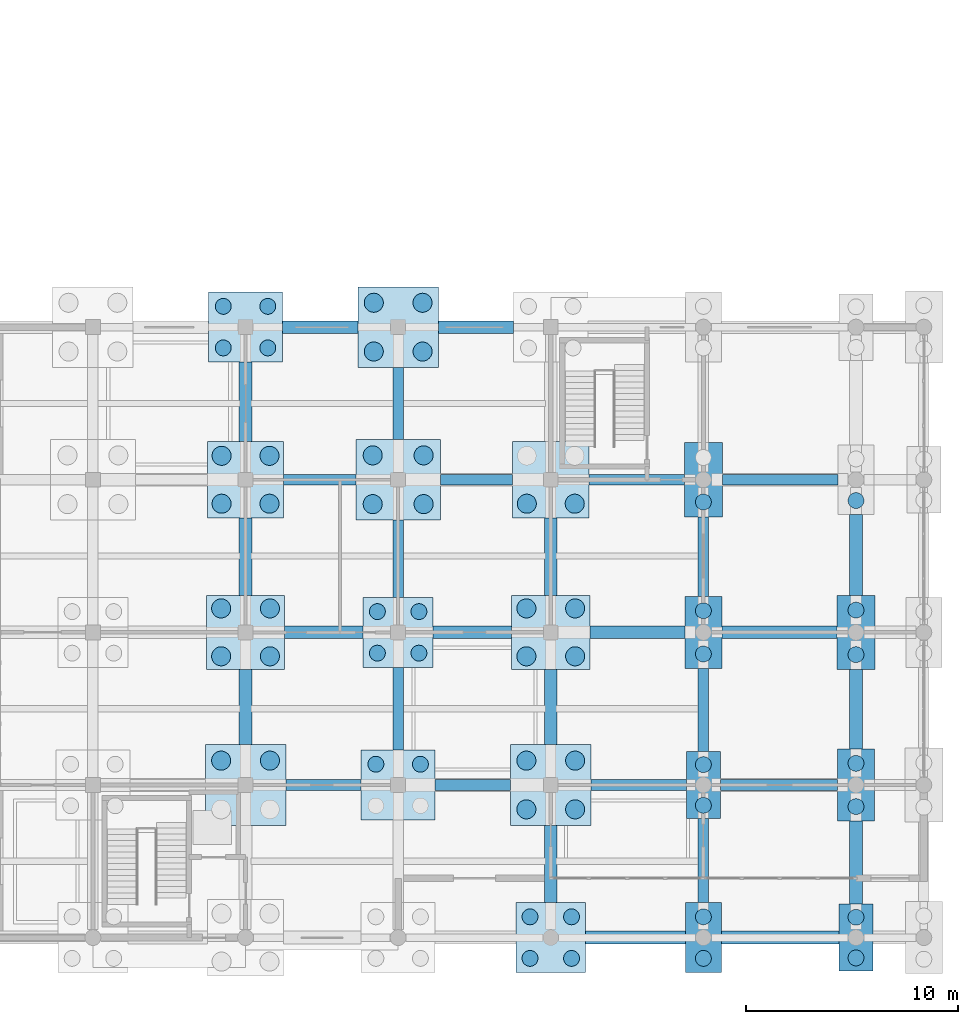
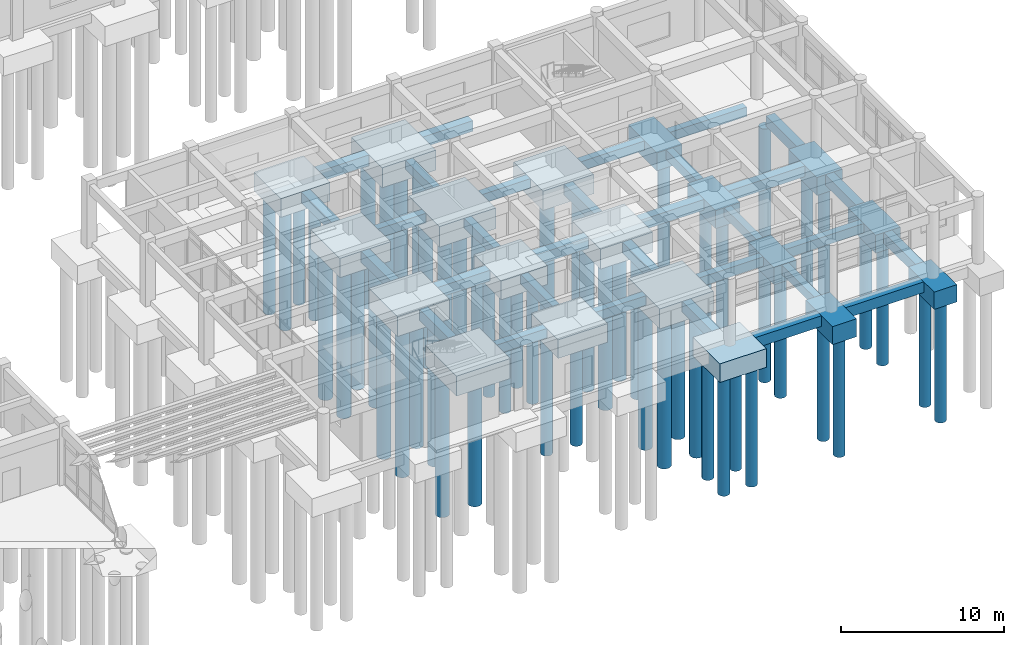
# One storey, part 12 of 79: 56 piles, 50 footings.
"""IFC4 building model written with IfcOpenShell, lengths in metres."""

from ifc_helpers import new_model, si_unit, direction, frame, origin, origin_2d, place, context, subcontext, project, spatial, polyline, rectangle, circle, outline, extrude, material, material_profile, profile_set, type_object, element, save


model = new_model("IFC4")

# Units and contexts
model_context = context("Model", 3, precision=1e-05, world=origin(), true_north=direction((0.0, 1.0)))
body_context = subcontext(model_context, "Body", "Model", "MODEL_VIEW")
ifc_project = project(units=[si_unit("LENGTHUNIT", "METRE"), si_unit("AREAUNIT", "SQUARE_METRE"), si_unit("VOLUMEUNIT", "CUBIC_METRE"), si_unit("PLANEANGLEUNIT", "RADIAN"), si_unit("MASSUNIT", "GRAM", prefix="KILO")], contexts=[model_context])

# Site, building, storey
site_placement = place(None, origin())
site = spatial("IfcSite", under=ifc_project, at=site_placement, CompositionType="ELEMENT")
building_placement = place(site_placement, origin())
building = spatial("IfcBuilding", under=site, at=building_placement, Name="Kavelor Marine Aquarium", CompositionType="ELEMENT")
storey_placement = place(building_placement, origin())
storey = spatial("IfcBuildingStorey", under=building, at=storey_placement, Name="L00", CompositionType="ELEMENT", Elevation=0.0)

# Footings
ifc_material_1 = material(Name="Concrete C40/50", Category="concrete")
footing_type_1 = type_object("IfcFootingType", Name="CAP-PC03", PredefinedType="PILE_CAP", material=ifc_material_1)
footing_1_placement = place(storey_placement, frame((0.0, 0.0, -1.89990234375)))
element("IfcFooting", 1, at=footing_1_placement, inside=storey, type_object=footing_type_1, Name="Pile Cap PC03 (20-D)", PredefinedType="PILE_CAP", context=body_context, shape_type="SweptSolid", body=[
    extrude(outline(polyline([(138.0, 22.5), (142.0, 22.5), (142.0, 26.300048828125), (138.0, 26.300048828125), (138.0, 22.5)])), origin(), (0.0, 0.0, 1.0), 1.5498046875),
])
ifc_material_2 = material(Name="Concrete C40/50", Category="concrete")
footing_type_2 = type_object("IfcFootingType", Name="CAP-PC04", PredefinedType="PILE_CAP", material=ifc_material_2)
footing_2_placement = place(storey_placement, frame((0.0, 0.0, -1.85009765625)))
element("IfcFooting", 2, at=footing_2_placement, inside=storey, type_object=footing_type_2, Name="Pile Cap PC04 (19-B)", PredefinedType="PILE_CAP", context=body_context, shape_type="SweptSolid", body=[
    extrude(outline(polyline([(130.89990234375, 8.10009765625), (134.699951171875, 8.10009765625), (134.699951171875, 11.89990234375), (130.89990234375, 11.89990234375), (130.89990234375, 8.10009765625)])), origin(), (0.0, 0.0, 1.0), 1.5),
])
footing_3_placement = place(storey_placement, frame((0.0, 0.0, -1.85009765625)))
element("IfcFooting", 3, at=footing_3_placement, inside=storey, type_object=footing_type_2, Name="Pile Cap PC04 (20-E)", PredefinedType="PILE_CAP", context=body_context, shape_type="SweptSolid", body=[
    extrude(outline(polyline([(138.10009765625, 29.699951171875), (141.89990234375, 29.699951171875), (141.89990234375, 33.5), (138.10009765625, 33.5), (138.10009765625, 29.699951171875)])), origin(), (0.0, 0.0, 1.0), 1.5),
])
footing_4_placement = place(storey_placement, frame((0.0, 0.0, -1.85009765625)))
element("IfcFooting", 4, at=footing_4_placement, inside=storey, type_object=footing_type_2, Name="Pile Cap PC04 (21-B)", PredefinedType="PILE_CAP", context=body_context, shape_type="SweptSolid", body=[
    extrude(outline(polyline([(145.300048828125, 8.10009765625), (149.10009765625, 8.10009765625), (149.10009765625, 11.89990234375), (145.300048828125, 11.89990234375), (145.300048828125, 8.10009765625)])), origin(), (0.0, 0.0, 1.0), 1.5),
])
ifc_material_3 = material(Name="Concrete C40/50", Category="concrete")
footing_type_3 = type_object("IfcFootingType", Name="CAP-PC05", PredefinedType="PILE_CAP", material=ifc_material_3)
footing_5_placement = place(storey_placement, frame((0.0, 0.0, -1.85009765625)))
element("IfcFooting", 5, at=footing_5_placement, inside=storey, type_object=footing_type_3, Name="Pile Cap PC05 (19-C)", PredefinedType="PILE_CAP", context=body_context, shape_type="SweptSolid", body=[
    extrude(outline(polyline([(130.949951171875, 15.449951171875), (134.64990234375, 15.449951171875), (134.64990234375, 18.949951171875), (130.949951171875, 18.949951171875), (130.949951171875, 15.449951171875)])), origin(), (0.0, 0.0, 1.0), 1.5),
])
footing_6_placement = place(storey_placement, frame((0.0, 0.0, -1.85009765625)))
element("IfcFooting", 6, at=footing_6_placement, inside=storey, type_object=footing_type_3, Name="Pile Cap PC05 (21-C)", PredefinedType="PILE_CAP", context=body_context, shape_type="SweptSolid", body=[
    extrude(outline(polyline([(145.35009765625, 15.449951171875), (149.050048828125, 15.449951171875), (149.050048828125, 18.949951171875), (145.35009765625, 18.949951171875), (145.35009765625, 15.449951171875)])), origin(), (0.0, 0.0, 1.0), 1.5),
])
ifc_material_4 = material(Name="Concrete C40/50", Category="concrete")
footing_type_4 = type_object("IfcFootingType", Name="CAP-PC06", PredefinedType="PILE_CAP", material=ifc_material_4)
footing_7_placement = place(storey_placement, frame((0.0, 0.0, -1.800048828125)))
element("IfcFooting", 7, at=footing_7_placement, inside=storey, type_object=footing_type_4, Name="Pile Cap PC06 (19-D)", PredefinedType="PILE_CAP", context=body_context, shape_type="SweptSolid", body=[
    extrude(outline(polyline([(131.0, 22.60009765625), (134.60009765625, 22.60009765625), (134.60009765625, 26.199951171875), (131.0, 26.199951171875), (131.0, 22.60009765625)])), origin(), (0.0, 0.0, 1.0), 1.449951171875),
])
footing_8_placement = place(storey_placement, frame((0.0, 0.0, -1.800048828125)))
element("IfcFooting", 8, at=footing_8_placement, inside=storey, type_object=footing_type_4, Name="Pile Cap PC06 (21-D)", PredefinedType="PILE_CAP", context=body_context, shape_type="SweptSolid", body=[
    extrude(outline(polyline([(145.39990234375, 22.60009765625), (149.0, 22.60009765625), (149.0, 26.199951171875), (145.39990234375, 26.199951171875), (145.39990234375, 22.60009765625)])), origin(), (0.0, 0.0, 1.0), 1.449951171875),
])
ifc_material_5 = material(Name="Concrete C40/50", Category="concrete")
footing_type_5 = type_object("IfcFootingType", Name="CAP-PC07", PredefinedType="PILE_CAP", material=ifc_material_5)
footing_9_placement = place(storey_placement, frame((0.0, 0.0, -1.75)))
element("IfcFooting", 9, at=footing_9_placement, inside=storey, type_object=footing_type_5, Name="Pile Cap PC07 (19-E)", PredefinedType="PILE_CAP", context=body_context, shape_type="SweptSolid", body=[
    extrude(outline(polyline([(131.050048828125, 29.949951171875), (134.550048828125, 29.949951171875), (134.550048828125, 33.25), (131.050048828125, 33.25), (131.050048828125, 29.949951171875)])), origin(), (0.0, 0.0, 1.0), 1.39990234375),
])
footing_10_placement = place(storey_placement, frame((0.0, 0.0, -1.75)))
element("IfcFooting", 10, at=footing_10_placement, inside=storey, type_object=footing_type_5, Name="Pile Cap PC07 (20-B)", PredefinedType="PILE_CAP", context=body_context, shape_type="SweptSolid", body=[
    extrude(outline(polyline([(138.25, 8.35009765625), (141.75, 8.35009765625), (141.75, 11.64990234375), (138.25, 11.64990234375), (138.25, 8.35009765625)])), origin(), (0.0, 0.0, 1.0), 1.39990234375),
])
ifc_material_6 = material(Name="Concrete C40/50", Category="concrete")
footing_type_6 = type_object("IfcFootingType", Name="CAP-PC08", PredefinedType="PILE_CAP", material=ifc_material_6)
footing_11_placement = place(storey_placement, frame((0.0, 0.0, -1.75)))
element("IfcFooting", 11, at=footing_11_placement, inside=storey, type_object=footing_type_6, Name="Pile Cap PC08 (20-C)", PredefinedType="PILE_CAP", context=body_context, shape_type="SweptSolid", body=[
    extrude(outline(polyline([(138.35009765625, 15.550048828125), (141.64990234375, 15.550048828125), (141.64990234375, 18.85009765625), (138.35009765625, 18.85009765625), (138.35009765625, 15.550048828125)])), origin(), (0.0, 0.0, 1.0), 1.39990234375),
])
footing_12_placement = place(storey_placement, frame((0.0, 0.0, -1.75)))
element("IfcFooting", 12, at=footing_12_placement, inside=storey, type_object=footing_type_6, Name="Pile Cap PC08 (21-A)", PredefinedType="PILE_CAP", context=body_context, shape_type="SweptSolid", body=[
    extrude(outline(polyline([(145.550048828125, 1.14990234375), (148.85009765625, 1.14990234375), (148.85009765625, 4.449951171875), (145.550048828125, 4.449951171875), (145.550048828125, 1.14990234375)])), origin(), (0.0, 0.0, 1.0), 1.39990234375),
])
ifc_material_7 = material(Name="Concrete C40/50", Category="concrete")
footing_type_7 = type_object("IfcFootingType", Name="CAP-PC09", PredefinedType="PILE_CAP", material=ifc_material_7)
footing_13_placement = place(storey_placement, frame((0.0, 0.0, -1.699951171875)))
element("IfcFooting", 13, at=footing_13_placement, inside=storey, type_object=footing_type_7, Name="Pile Cap PC09 (22-D)", PredefinedType="PILE_CAP", context=body_context, shape_type="SweptSolid", body=[
    extrude(outline(polyline([(153.5, 22.64990234375), (155.300048828125, 22.64990234375), (155.300048828125, 26.14990234375), (153.5, 26.14990234375), (153.5, 22.64990234375)])), origin(), (0.0, 0.0, 1.0), 1.349853515625),
])
footing_14_placement = place(storey_placement, frame((0.0, 0.0, -1.699951171875)))
element("IfcFooting", 14, at=footing_14_placement, inside=storey, type_object=footing_type_7, Name="Pile Cap PC09 (23-C)", PredefinedType="PILE_CAP", context=body_context, shape_type="SweptSolid", body=[
    extrude(outline(polyline([(160.699951171875, 15.449951171875), (162.5, 15.449951171875), (162.5, 18.949951171875), (160.699951171875, 18.949951171875), (160.699951171875, 15.449951171875)])), origin(), (0.0, 0.0, 1.0), 1.349853515625),
])
ifc_material_8 = material(Name="Concrete C40/50", Category="concrete")
footing_type_8 = type_object("IfcFootingType", Name="CAP-PC10", PredefinedType="PILE_CAP", material=ifc_material_8)
footing_15_placement = place(storey_placement, frame((0.0, 0.0, -1.699951171875)))
element("IfcFooting", 15, at=footing_15_placement, inside=storey, type_object=footing_type_8, Name="Pile Cap PC10 (22-A)", PredefinedType="PILE_CAP", context=body_context, shape_type="SweptSolid", body=[
    extrude(outline(polyline([(153.550048828125, 1.14990234375), (155.25, 1.14990234375), (155.25, 4.449951171875), (153.550048828125, 4.449951171875), (153.550048828125, 1.14990234375)])), origin(), (0.0, 0.0, 1.0), 1.349853515625),
])
ifc_material_9 = material(Name="Concrete C40/50", Category="concrete")
footing_type_9 = type_object("IfcFootingType", Name="CAP-PC11", PredefinedType="PILE_CAP", material=ifc_material_9)
footing_16_placement = place(storey_placement, frame((0.0, 0.0, -1.64990234375)))
element("IfcFooting", 16, at=footing_16_placement, inside=storey, type_object=footing_type_9, Name="Pile Cap PC11 (22-B)", PredefinedType="PILE_CAP", context=body_context, shape_type="SweptSolid", body=[
    extrude(outline(polyline([(153.60009765625, 8.425048828125), (155.199951171875, 8.425048828125), (155.199951171875, 11.574951171875), (153.60009765625, 11.574951171875), (153.60009765625, 8.425048828125)])), origin(), (0.0, 0.0, 1.0), 1.2998046875),
])
footing_17_placement = place(storey_placement, frame((0.0, 0.0, -1.64990234375)))
element("IfcFooting", 17, at=footing_17_placement, inside=storey, type_object=footing_type_9, Name="Pile Cap PC11 (23-A)", PredefinedType="PILE_CAP", context=body_context, shape_type="SweptSolid", body=[
    extrude(outline(polyline([(160.800048828125, 1.22509765625), (162.39990234375, 1.22509765625), (162.39990234375, 4.375), (160.800048828125, 4.375), (160.800048828125, 1.22509765625)])), origin(), (0.0, 0.0, 1.0), 1.2998046875),
])
ifc_material_10 = material(Name="Concrete C40/50", Category="concrete")
footing_type_10 = type_object("IfcFootingType", Name="CAP-PC12", PredefinedType="PILE_CAP", material=ifc_material_10)
footing_18_placement = place(storey_placement, frame((0.0, 0.0, -1.699951171875)))
element("IfcFooting", 18, at=footing_18_placement, inside=storey, type_object=footing_type_10, Name="Pile Cap PC12 (22-C)", PredefinedType="PILE_CAP", context=body_context, shape_type="SweptSolid", body=[
    extrude(outline(polyline([(153.52490234375, 15.5), (155.27490234375, 15.5), (155.27490234375, 18.89990234375), (153.52490234375, 18.89990234375), (153.52490234375, 15.5)])), origin(), (0.0, 0.0, 1.0), 1.349853515625),
])
footing_19_placement = place(storey_placement, frame((0.0, 0.0, -1.699951171875)))
element("IfcFooting", 19, at=footing_19_placement, inside=storey, type_object=footing_type_10, Name="Pile Cap PC12 (23-B)", PredefinedType="PILE_CAP", context=body_context, shape_type="SweptSolid", body=[
    extrude(outline(polyline([(160.72509765625, 8.300048828125), (162.47509765625, 8.300048828125), (162.47509765625, 11.699951171875), (160.72509765625, 11.699951171875), (160.72509765625, 8.300048828125)])), origin(), (0.0, 0.0, 1.0), 1.349853515625),
])
ifc_material_11 = material(Name="Concrete C40/50", Category="concrete")
ifc_material_profile_1 = material_profile(ifc_material_11, rectangle(XDim=0.60009765625, YDim=0.800048828125, at=origin_2d()), Name="GB 600x800")
ifc_profile_set_1 = profile_set([ifc_material_profile_1], Name="Concrete C40/50")
footing_type_11 = type_object("IfcFootingType", Name="FTB-GB1", PredefinedType="FOOTING_BEAM", material=ifc_profile_set_1)
footing_20_placement = place(storey_placement, frame((132.800048828125, 11.89990234375, -0.75), z_axis=(0.0, 1.0, 0.0), x_axis=(-1.0, 0.0, 0.0)))
element("IfcFooting", 20, at=footing_20_placement, inside=storey, type_object=footing_type_11, Name="ftb:y:18_01", PredefinedType="FOOTING_BEAM", context=body_context, shape_type="SweptSolid", body=[
    extrude(rectangle(XDim=0.60009765625, YDim=0.800048828125, at=origin_2d()), origin(), (0.0, 0.0, 1.0), 3.550048828125),
])
footing_21_placement = place(storey_placement, frame((134.64990234375, 17.199951171875, -0.75), z_axis=(1.0, 0.0, 0.0), x_axis=(0.0, 1.0, 0.0)))
element("IfcFooting", 21, at=footing_21_placement, inside=storey, type_object=footing_type_11, Name="ftb:x:18_02", PredefinedType="FOOTING_BEAM", context=body_context, shape_type="SweptSolid", body=[
    extrude(rectangle(XDim=0.60009765625, YDim=0.800048828125, at=origin_2d()), origin(), (0.0, 0.0, 1.0), 3.7001953125),
])
footing_22_placement = place(storey_placement, frame((132.800048828125, 18.949951171875, -0.75), z_axis=(0.0, 1.0, 0.0), x_axis=(-1.0, 0.0, 0.0)))
element("IfcFooting", 22, at=footing_22_placement, inside=storey, type_object=footing_type_11, Name="ftb:y:18_02", PredefinedType="FOOTING_BEAM", context=body_context, shape_type="SweptSolid", body=[
    extrude(rectangle(XDim=0.60009765625, YDim=0.800048828125, at=origin_2d()), origin(), (0.0, 0.0, 1.0), 3.650146484375),
])
footing_23_placement = place(storey_placement, frame((132.800048828125, 26.199951171875, -0.75), z_axis=(0.0, 1.0, 0.0), x_axis=(-1.0, 0.0, 0.0)))
element("IfcFooting", 23, at=footing_23_placement, inside=storey, type_object=footing_type_11, Name="ftb:y:18_03", PredefinedType="FOOTING_BEAM", context=body_context, shape_type="SweptSolid", body=[
    extrude(rectangle(XDim=0.60009765625, YDim=0.800048828125, at=origin_2d()), origin(), (0.0, 0.0, 1.0), 3.75),
])
footing_24_placement = place(storey_placement, frame((134.550048828125, 31.60009765625, -0.75), z_axis=(1.0, 0.0, 0.0), x_axis=(0.0, 1.0, 0.0)))
element("IfcFooting", 24, at=footing_24_placement, inside=storey, type_object=footing_type_11, Name="ftb:x:18_04", PredefinedType="FOOTING_BEAM", context=body_context, shape_type="SweptSolid", body=[
    extrude(rectangle(XDim=0.60009765625, YDim=0.800048828125, at=origin_2d()), origin(), (0.0, 0.0, 1.0), 3.550048828125),
])
footing_25_placement = place(storey_placement, frame((141.64990234375, 17.199951171875, -0.75), z_axis=(1.0, 0.0, 0.0), x_axis=(0.0, 1.0, 0.0)))
element("IfcFooting", 25, at=footing_25_placement, inside=storey, type_object=footing_type_11, Name="ftb:x:19_02", PredefinedType="FOOTING_BEAM", context=body_context, shape_type="SweptSolid", body=[
    extrude(rectangle(XDim=0.60009765625, YDim=0.800048828125, at=origin_2d()), origin(), (0.0, 0.0, 1.0), 3.7001953125),
])
footing_26_placement = place(storey_placement, frame((141.89990234375, 31.60009765625, -0.75), z_axis=(1.0, 0.0, 0.0), x_axis=(0.0, 1.0, 0.0)))
element("IfcFooting", 26, at=footing_26_placement, inside=storey, type_object=footing_type_11, Name="ftb:x:19_04", PredefinedType="FOOTING_BEAM", context=body_context, shape_type="SweptSolid", body=[
    extrude(rectangle(XDim=0.60009765625, YDim=0.800048828125, at=origin_2d()), origin(), (0.0, 0.0, 1.0), 3.550048828125),
])
footing_27_placement = place(storey_placement, frame((148.85009765625, 2.800048828125, -0.75), z_axis=(1.0, 0.0, 0.0), x_axis=(0.0, 1.0, 0.0)))
element("IfcFooting", 27, at=footing_27_placement, inside=storey, type_object=footing_type_11, Name="ftb:x:20_00", PredefinedType="FOOTING_BEAM", context=body_context, shape_type="SweptSolid", body=[
    extrude(rectangle(XDim=0.60009765625, YDim=0.800048828125, at=origin_2d()), origin(), (0.0, 0.0, 1.0), 4.699951171875),
])
footing_28_placement = place(storey_placement, frame((147.199951171875, 4.449951171875, -0.75), z_axis=(0.0, 1.0, 0.0), x_axis=(-1.0, 0.0, 0.0)))
element("IfcFooting", 28, at=footing_28_placement, inside=storey, type_object=footing_type_11, Name="ftb:y:20_00", PredefinedType="FOOTING_BEAM", context=body_context, shape_type="SweptSolid", body=[
    extrude(rectangle(XDim=0.60009765625, YDim=0.800048828125, at=origin_2d()), origin(), (0.0, 0.0, 1.0), 3.650146484375),
])
footing_29_placement = place(storey_placement, frame((147.199951171875, 11.89990234375, -0.75), z_axis=(0.0, 1.0, 0.0), x_axis=(-1.0, 0.0, 0.0)))
element("IfcFooting", 29, at=footing_29_placement, inside=storey, type_object=footing_type_11, Name="ftb:y:20_01", PredefinedType="FOOTING_BEAM", context=body_context, shape_type="SweptSolid", body=[
    extrude(rectangle(XDim=0.60009765625, YDim=0.800048828125, at=origin_2d()), origin(), (0.0, 0.0, 1.0), 3.550048828125),
])
footing_30_placement = place(storey_placement, frame((149.050048828125, 17.199951171875, -0.75), z_axis=(1.0, 0.0, 0.0), x_axis=(0.0, 1.0, 0.0)))
element("IfcFooting", 30, at=footing_30_placement, inside=storey, type_object=footing_type_11, Name="ftb:x:20_02", PredefinedType="FOOTING_BEAM", context=body_context, shape_type="SweptSolid", body=[
    extrude(rectangle(XDim=0.60009765625, YDim=0.800048828125, at=origin_2d()), origin(), (0.0, 0.0, 1.0), 4.474853515625),
])
footing_31_placement = place(storey_placement, frame((147.199951171875, 18.949951171875, -0.75), z_axis=(0.0, 1.0, 0.0), x_axis=(-1.0, 0.0, 0.0)))
element("IfcFooting", 31, at=footing_31_placement, inside=storey, type_object=footing_type_11, Name="ftb:y:20_02", PredefinedType="FOOTING_BEAM", context=body_context, shape_type="SweptSolid", body=[
    extrude(rectangle(XDim=0.60009765625, YDim=0.800048828125, at=origin_2d()), origin(), (0.0, 0.0, 1.0), 3.650146484375),
])
footing_32_placement = place(storey_placement, frame((155.25, 2.800048828125, -0.75), z_axis=(1.0, 0.0, 0.0), x_axis=(0.0, 1.0, 0.0)))
element("IfcFooting", 32, at=footing_32_placement, inside=storey, type_object=footing_type_11, Name="ftb:x:21_00", PredefinedType="FOOTING_BEAM", context=body_context, shape_type="SweptSolid", body=[
    extrude(rectangle(XDim=0.60009765625, YDim=0.800048828125, at=origin_2d()), origin(), (0.0, 0.0, 1.0), 5.550048828125),
])
footing_33_placement = place(storey_placement, frame((155.27490234375, 17.199951171875, -0.75), z_axis=(1.0, 0.0, 0.0), x_axis=(0.0, 1.0, 0.0)))
element("IfcFooting", 33, at=footing_33_placement, inside=storey, type_object=footing_type_11, Name="ftb:x:21_02", PredefinedType="FOOTING_BEAM", context=body_context, shape_type="SweptSolid", body=[
    extrude(rectangle(XDim=0.60009765625, YDim=0.800048828125, at=origin_2d()), origin(), (0.0, 0.0, 1.0), 5.425048828125),
])
footing_34_placement = place(storey_placement, frame((161.60009765625, 4.375, -0.75), z_axis=(0.0, 1.0, 0.0), x_axis=(-1.0, 0.0, 0.0)))
element("IfcFooting", 34, at=footing_34_placement, inside=storey, type_object=footing_type_11, Name="ftb:y:22_00", PredefinedType="FOOTING_BEAM", context=body_context, shape_type="SweptSolid", body=[
    extrude(rectangle(XDim=0.60009765625, YDim=0.800048828125, at=origin_2d()), origin(), (0.0, 0.0, 1.0), 3.925048828125),
])
footing_35_placement = place(storey_placement, frame((161.60009765625, 11.699951171875, -0.75), z_axis=(0.0, 1.0, 0.0), x_axis=(-1.0, 0.0, 0.0)))
element("IfcFooting", 35, at=footing_35_placement, inside=storey, type_object=footing_type_11, Name="ftb:y:22_01", PredefinedType="FOOTING_BEAM", context=body_context, shape_type="SweptSolid", body=[
    extrude(rectangle(XDim=0.60009765625, YDim=0.800048828125, at=origin_2d()), origin(), (0.0, 0.0, 1.0), 3.75),
])
footing_36_placement = place(storey_placement, frame((161.60009765625, 18.949951171875, -0.75), z_axis=(0.0, 1.0, 0.0), x_axis=(-1.0, 0.0, 0.0)))
element("IfcFooting", 36, at=footing_36_placement, inside=storey, type_object=footing_type_11, Name="ftb:y:22_02", PredefinedType="FOOTING_BEAM", context=body_context, shape_type="SweptSolid", body=[
    extrude(rectangle(XDim=0.60009765625, YDim=0.800048828125, at=origin_2d()), origin(), (0.0, 0.0, 1.0), 3.800048828125),
])
ifc_material_12 = material(Name="Concrete C40/50", Category="concrete")
ifc_material_profile_2 = material_profile(ifc_material_12, rectangle(XDim=0.5, YDim=0.699951171875, at=origin_2d()), Name="GB 500x700")
ifc_profile_set_2 = profile_set([ifc_material_profile_2], Name="Concrete C40/50")
footing_type_12 = type_object("IfcFootingType", Name="FTB-GB2", PredefinedType="FOOTING_BEAM", material=ifc_profile_set_2)
footing_37_placement = place(storey_placement, frame((134.699951171875, 10.0, -0.699951171875), z_axis=(1.0, 0.0, 0.0), x_axis=(0.0, 1.0, 0.0)))
element("IfcFooting", 37, at=footing_37_placement, inside=storey, type_object=footing_type_12, Name="ftb:x:18_01", PredefinedType="FOOTING_BEAM", context=body_context, shape_type="SweptSolid", body=[
    extrude(rectangle(XDim=0.5, YDim=0.699951171875, at=origin_2d()), origin(), (0.0, 0.0, 1.0), 3.550048828125),
])
footing_38_placement = place(storey_placement, frame((134.60009765625, 24.39990234375, -0.699951171875), z_axis=(1.0, 0.0, 0.0), x_axis=(0.0, 1.0, 0.0)))
element("IfcFooting", 38, at=footing_38_placement, inside=storey, type_object=footing_type_12, Name="ftb:x:18_03", PredefinedType="FOOTING_BEAM", context=body_context, shape_type="SweptSolid", body=[
    extrude(rectangle(XDim=0.5, YDim=0.699951171875, at=origin_2d()), origin(), (0.0, 0.0, 1.0), 3.39990234375),
])
footing_39_placement = place(storey_placement, frame((141.75, 10.0, -0.699951171875), z_axis=(1.0, 0.0, 0.0), x_axis=(0.0, 1.0, 0.0)))
element("IfcFooting", 39, at=footing_39_placement, inside=storey, type_object=footing_type_12, Name="ftb:x:19_01", PredefinedType="FOOTING_BEAM", context=body_context, shape_type="SweptSolid", body=[
    extrude(rectangle(XDim=0.5, YDim=0.699951171875, at=origin_2d()), origin(), (0.0, 0.0, 1.0), 3.550048828125),
])
footing_40_placement = place(storey_placement, frame((140.0, 11.64990234375, -0.699951171875), z_axis=(0.0, 1.0, 0.0), x_axis=(-1.0, 0.0, 0.0)))
element("IfcFooting", 40, at=footing_40_placement, inside=storey, type_object=footing_type_12, Name="ftb:y:19_01", PredefinedType="FOOTING_BEAM", context=body_context, shape_type="SweptSolid", body=[
    extrude(rectangle(XDim=0.5, YDim=0.699951171875, at=origin_2d()), origin(), (0.0, 0.0, 1.0), 3.900146484375),
])
footing_41_placement = place(storey_placement, frame((140.0, 18.85009765625, -0.699951171875), z_axis=(0.0, 1.0, 0.0), x_axis=(-1.0, 0.0, 0.0)))
element("IfcFooting", 41, at=footing_41_placement, inside=storey, type_object=footing_type_12, Name="ftb:y:19_02", PredefinedType="FOOTING_BEAM", context=body_context, shape_type="SweptSolid", body=[
    extrude(rectangle(XDim=0.5, YDim=0.699951171875, at=origin_2d()), origin(), (0.0, 0.0, 1.0), 3.64990234375),
])
for number, where, z_axis, x_axis, name in (
    (42, (142.0, 24.39990234375, -0.699951171875), (1.0, 0.0, 0.0), (0.0, 1.0, 0.0), "ftb:x:19_03"),
    (43, (140.0, 26.300048828125, -0.699951171875), (0.0, 1.0, 0.0), (-1.0, 0.0, 0.0), "ftb:y:19_03"),
):
    element("IfcFooting", number, at=place(storey_placement, frame(where, z_axis=z_axis, x_axis=x_axis)), inside=storey, type_object=footing_type_12, Name=name, PredefinedType="FOOTING_BEAM", context=body_context, shape_type="SweptSolid", body=[
        extrude(rectangle(XDim=0.5, YDim=0.699951171875, at=origin_2d()), origin(), (0.0, 0.0, 1.0), 3.39990234375),
    ])
for number, where, z_axis, x_axis, name in (
    (44, (149.10009765625, 10.0, -0.699951171875), (1.0, 0.0, 0.0), (0.0, 1.0, 0.0), "ftb:x:20_01"),
    (45, (149.0, 24.39990234375, -0.699951171875), (1.0, 0.0, 0.0), (0.0, 1.0, 0.0), "ftb:x:20_03"),
):
    element("IfcFooting", number, at=place(storey_placement, frame(where, z_axis=z_axis, x_axis=x_axis)), inside=storey, type_object=footing_type_12, Name=name, PredefinedType="FOOTING_BEAM", context=body_context, shape_type="SweptSolid", body=[
        extrude(rectangle(XDim=0.5, YDim=0.699951171875, at=origin_2d()), origin(), (0.0, 0.0, 1.0), 4.5),
    ])
footing_42_placement = place(storey_placement, frame((154.39990234375, 4.449951171875, -0.699951171875), z_axis=(0.0, 1.0, 0.0), x_axis=(-1.0, 0.0, 0.0)))
element("IfcFooting", 46, at=footing_42_placement, inside=storey, type_object=footing_type_12, Name="ftb:y:21_00", PredefinedType="FOOTING_BEAM", context=body_context, shape_type="SweptSolid", body=[
    extrude(rectangle(XDim=0.5, YDim=0.699951171875, at=origin_2d()), origin(), (0.0, 0.0, 1.0), 3.97509765625),
])
footing_43_placement = place(storey_placement, frame((155.199951171875, 10.0, -0.699951171875), z_axis=(1.0, 0.0, 0.0), x_axis=(0.0, 1.0, 0.0)))
element("IfcFooting", 47, at=footing_43_placement, inside=storey, type_object=footing_type_12, Name="ftb:x:21_01", PredefinedType="FOOTING_BEAM", context=body_context, shape_type="SweptSolid", body=[
    extrude(rectangle(XDim=0.5, YDim=0.699951171875, at=origin_2d()), origin(), (0.0, 0.0, 1.0), 5.525146484375),
])
footing_44_placement = place(storey_placement, frame((154.39990234375, 11.574951171875, -0.699951171875), z_axis=(0.0, 1.0, 0.0), x_axis=(-1.0, 0.0, 0.0)))
element("IfcFooting", 48, at=footing_44_placement, inside=storey, type_object=footing_type_12, Name="ftb:y:21_01", PredefinedType="FOOTING_BEAM", context=body_context, shape_type="SweptSolid", body=[
    extrude(rectangle(XDim=0.5, YDim=0.699951171875, at=origin_2d()), origin(), (0.0, 0.0, 1.0), 3.925048828125),
])
footing_45_placement = place(storey_placement, frame((154.39990234375, 18.89990234375, -0.699951171875), z_axis=(0.0, 1.0, 0.0), x_axis=(-1.0, 0.0, 0.0)))
element("IfcFooting", 49, at=footing_45_placement, inside=storey, type_object=footing_type_12, Name="ftb:y:21_02", PredefinedType="FOOTING_BEAM", context=body_context, shape_type="SweptSolid", body=[
    extrude(rectangle(XDim=0.5, YDim=0.699951171875, at=origin_2d()), origin(), (0.0, 0.0, 1.0), 3.75),
])
footing_46_placement = place(storey_placement, frame((155.300048828125, 24.39990234375, -0.699951171875), z_axis=(1.0, 0.0, 0.0), x_axis=(0.0, 1.0, 0.0)))
element("IfcFooting", 50, at=footing_46_placement, inside=storey, type_object=footing_type_12, Name="ftb:x:21_03", PredefinedType="FOOTING_BEAM", context=body_context, shape_type="SweptSolid", body=[
    extrude(rectangle(XDim=0.5, YDim=0.699951171875, at=origin_2d()), origin(), (0.0, 0.0, 1.0), 5.449951171875),
])

# Piles
ifc_material_13 = material(Name="Concrete C40/50", Category="concrete")
ifc_material_profile_3 = material_profile(ifc_material_13, circle(Radius=0.449951171875, at=origin_2d()), Name="PILE D900")
ifc_profile_set_3 = profile_set([ifc_material_profile_3], Name="Concrete C40/50")
pile_type_1 = type_object("IfcPileType", Name="PILE-P2", PredefinedType="BORED", material=ifc_profile_set_3)
for number, where, z_axis, x_axis, name in (
    (51, (131.64990234375, 11.14990234375, -1.75), (0.0, 0.0, -1.0), (1.0, 0.0, 0.0), "Bored Pile P2 (19-B-3)"),
    (52, (133.949951171875, 11.14990234375, -1.75), (0.0, 0.0, -1.0), (1.0, 0.0, 0.0), "Bored Pile P2 (19-B-4)"),
    (53, (131.64990234375, 16.070068359375, -1.75), (0.0, 0.0, -1.0), (1.0, 0.0, 0.0), "Bored Pile P2 (19-C-1)"),
    (54, (133.949951171875, 16.070068359375, -1.75), (0.0, 0.0, -1.0), (1.0, 0.0, 0.0), "Bored Pile P2 (19-C-2)"),
    (55, (131.64990234375, 18.330078125, -1.75), (0.0, 0.0, -1.0), (1.0, 0.0, 0.0), "Bored Pile P2 (19-C-3)"),
    (56, (133.949951171875, 18.330078125, -1.75), (0.0, 0.0, -1.0), (1.0, 0.0, 0.0), "Bored Pile P2 (19-C-4)"),
    (57, (131.669921875, 23.27001953125, -1.699951171875), (0.0, 0.0, -1.0), (1.0, 0.0, 0.0), "Bored Pile P2 (19-D-1)"),
    (58, (133.929931640625, 23.27001953125, -1.699951171875), (0.0, 0.0, -1.0), (1.0, 0.0, 0.0), "Bored Pile P2 (19-D-2)"),
    (59, (131.669921875, 25.530029296875, -1.699951171875), (0.0, 0.0, -1.0), (1.0, 0.0, 0.0), "Bored Pile P2 (19-D-3)"),
    (60, (133.929931640625, 25.530029296875, -1.699951171875), (0.0, 0.0, -1.0), (1.0, 0.0, 0.0), "Bored Pile P2 (19-D-4)"),
    (61, (138.800048828125, 23.25, -1.800048828125), (0.0, 0.0, -1.0), (1.0, 0.0, 0.0), "Bored Pile P2 (20-D-1)"),
    (62, (141.199951171875, 23.25, -1.800048828125), (0.0, 0.0, -1.0), (1.0, 0.0, 0.0), "Bored Pile P2 (20-D-2)"),
    (63, (138.800048828125, 25.550048828125, -1.800048828125), (0.0, 0.0, -1.0), (1.0, 0.0, 0.0), "Bored Pile P2 (20-D-3)"),
    (64, (141.199951171875, 25.550048828125, -1.800048828125), (0.0, 0.0, -1.0), (1.0, 0.0, 0.0), "Bored Pile P2 (20-D-4)"),
    (65, (138.85009765625, 30.449951171875, -1.75), (0.0, 0.0, -1.0), (1.0, 0.0, 0.0), "Bored Pile P2 (20-E-1)"),
    (66, (141.14990234375, 30.449951171875, -1.75), (0.0, 0.0, -1.0), (1.0, 0.0, 0.0), "Bored Pile P2 (20-E-2)"),
    (67, (138.85009765625, 32.75, -1.75), (0.0, 0.0, -1.0), (1.0, 0.0, 0.0), "Bored Pile P2 (20-E-3)"),
    (68, (141.14990234375, 32.75, -1.75), (0.0, 0.0, -1.0), (1.0, 0.0, 0.0), "Bored Pile P2 (20-E-4)"),
    (69, (146.050048828125, 8.85009765625, -1.75), (0.0, 0.0, -1.0), (1.0, 0.0, 0.0), "Bored Pile P2 (21-B-1)"),
    (70, (148.35009765625, 8.85009765625, -1.75), (0.0, 0.0, -1.0), (1.0, 0.0, 0.0), "Bored Pile P2 (21-B-2)"),
    (71, (146.050048828125, 11.14990234375, -1.75), (0.0, 0.0, -1.0), (1.0, 0.0, 0.0), "Bored Pile P2 (21-B-3)"),
    (72, (148.35009765625, 11.14990234375, -1.75), (0.0, 0.0, -1.0), (1.0, 0.0, 0.0), "Bored Pile P2 (21-B-4)"),
    (73, (146.050048828125, 16.070068359375, -1.75), (0.0, 0.0, -1.0), (1.0, 0.0, 0.0), "Bored Pile P2 (21-C-1)"),
    (74, (148.35009765625, 16.070068359375, -1.75), (0.0, 0.0, -1.0), (1.0, 0.0, 0.0), "Bored Pile P2 (21-C-2)"),
    (75, (146.050048828125, 18.330078125, -1.75), (0.0, 0.0, -1.0), (1.0, 0.0, 0.0), "Bored Pile P2 (21-C-3)"),
    (76, (148.35009765625, 18.330078125, -1.75), (0.0, 0.0, -1.0), (1.0, 0.0, 0.0), "Bored Pile P2 (21-C-4)"),
    (77, (146.070068359375, 23.27001953125, -1.699951171875), (0.0, 0.0, -1.0), (1.0, 0.0, 0.0), "Bored Pile P2 (21-D-1)"),
    (78, (148.330078125, 23.27001953125, -1.699951171875), (0.0, 0.0, -1.0), (1.0, 0.0, 0.0), "Bored Pile P2 (21-D-2)"),
):
    element("IfcPile", number, at=place(storey_placement, frame(where, z_axis=z_axis, x_axis=x_axis)), inside=storey, type_object=pile_type_1, Name=name, PredefinedType="BORED", context=body_context, shape_type="SweptSolid", body=[
        extrude(circle(Radius=0.449951171875, at=origin_2d()), origin(), (0.0, 0.0, 1.0), 11.0),
    ])
ifc_material_14 = material(Name="Concrete C40/50", Category="concrete")
ifc_material_profile_4 = material_profile(ifc_material_14, circle(Radius=0.375, at=origin_2d()), Name="PILE D750")
ifc_profile_set_4 = profile_set([ifc_material_profile_4], Name="Concrete C40/50")
pile_type_2 = type_object("IfcPileType", Name="PILE-P3", PredefinedType="BORED", material=ifc_profile_set_4)
for number, where, z_axis, x_axis, name in (
    (79, (131.75, 30.6201171875, -1.64990234375), (0.0, 0.0, -1.0), (1.0, 0.0, 0.0), "Bored Pile P3 (19-E-1)"),
    (80, (133.85009765625, 30.6201171875, -1.64990234375), (0.0, 0.0, -1.0), (1.0, 0.0, 0.0), "Bored Pile P3 (19-E-2)"),
    (81, (131.75, 32.580078125, -1.64990234375), (0.0, 0.0, -1.0), (1.0, 0.0, 0.0), "Bored Pile P3 (19-E-3)"),
    (82, (133.85009765625, 32.580078125, -1.64990234375), (0.0, 0.0, -1.0), (1.0, 0.0, 0.0), "Bored Pile P3 (19-E-4)"),
    (83, (138.949951171875, 10.97998046875, -1.64990234375), (0.0, 0.0, -1.0), (1.0, 0.0, 0.0), "Bored Pile P3 (20-B-3)"),
    (84, (141.050048828125, 10.97998046875, -1.64990234375), (0.0, 0.0, -1.0), (1.0, 0.0, 0.0), "Bored Pile P3 (20-B-4)"),
    (85, (139.02001953125, 16.219970703125, -1.64990234375), (0.0, 0.0, -1.0), (1.0, 0.0, 0.0), "Bored Pile P3 (20-C-1)"),
    (86, (140.97998046875, 16.219970703125, -1.64990234375), (0.0, 0.0, -1.0), (1.0, 0.0, 0.0), "Bored Pile P3 (20-C-2)"),
    (87, (139.02001953125, 18.179931640625, -1.64990234375), (0.0, 0.0, -1.0), (1.0, 0.0, 0.0), "Bored Pile P3 (20-C-3)"),
    (88, (140.97998046875, 18.179931640625, -1.64990234375), (0.0, 0.0, -1.0), (1.0, 0.0, 0.0), "Bored Pile P3 (20-C-4)"),
    (89, (146.219970703125, 1.820068359375, -1.64990234375), (0.0, 0.0, -1.0), (1.0, 0.0, 0.0), "Bored Pile P3 (21-A-1)"),
    (90, (148.179931640625, 1.820068359375, -1.64990234375), (0.0, 0.0, -1.0), (1.0, 0.0, 0.0), "Bored Pile P3 (21-A-2)"),
    (91, (146.219970703125, 3.780029296875, -1.64990234375), (0.0, 0.0, -1.0), (1.0, 0.0, 0.0), "Bored Pile P3 (21-A-3)"),
    (92, (148.179931640625, 3.780029296875, -1.64990234375), (0.0, 0.0, -1.0), (1.0, 0.0, 0.0), "Bored Pile P3 (21-A-4)"),
    (93, (154.39990234375, 1.820068359375, -1.60009765625), (0.0, 0.0, -1.0), (1.0, 0.0, 0.0), "Bored Pile P3 (22-A-1)"),
    (94, (154.39990234375, 3.780029296875, -1.60009765625), (0.0, 0.0, -1.0), (1.0, 0.0, 0.0), "Bored Pile P3 (22-A-2)"),
    (95, (154.39990234375, 9.0400390625, -1.550048828125), (0.0, 0.0, -1.0), (1.0, 0.0, 0.0), "Bored Pile P3 (22-B-1)"),
    (96, (154.39990234375, 10.9599609375, -1.550048828125), (0.0, 0.0, -1.0), (1.0, 0.0, 0.0), "Bored Pile P3 (22-B-2)"),
    (97, (154.39990234375, 16.179931640625, -1.60009765625), (0.0, 0.0, -1.0), (1.0, 0.0, 0.0), "Bored Pile P3 (22-C-1)"),
    (98, (154.39990234375, 18.219970703125, -1.60009765625), (0.0, 0.0, -1.0), (1.0, 0.0, 0.0), "Bored Pile P3 (22-C-2)"),
    (99, (154.39990234375, 23.35009765625, -1.60009765625), (0.0, 0.0, -1.0), (1.0, 0.0, 0.0), "Bored Pile P3 (22-D-1)"),
    (100, (161.60009765625, 1.840087890625, -1.550048828125), (0.0, 0.0, -1.0), (1.0, 0.0, 0.0), "Bored Pile P3 (23-A-1)"),
    (101, (161.60009765625, 3.760009765625, -1.550048828125), (0.0, 0.0, -1.0), (1.0, 0.0, 0.0), "Bored Pile P3 (23-A-2)"),
    (102, (161.60009765625, 8.97998046875, -1.60009765625), (0.0, 0.0, -1.0), (1.0, 0.0, 0.0), "Bored Pile P3 (23-B-1)"),
    (103, (161.60009765625, 11.02001953125, -1.60009765625), (0.0, 0.0, -1.0), (1.0, 0.0, 0.0), "Bored Pile P3 (23-B-2)"),
    (104, (161.60009765625, 16.14990234375, -1.60009765625), (0.0, 0.0, -1.0), (1.0, 0.0, 0.0), "Bored Pile P3 (23-C-1)"),
    (105, (161.60009765625, 18.25, -1.60009765625), (0.0, 0.0, -1.0), (1.0, 0.0, 0.0), "Bored Pile P3 (23-C-2)"),
    (106, (161.60009765625, 23.419921875, -1.60009765625), (0.0, 0.0, -1.0), (1.0, 0.0, 0.0), "Bored Pile P3 (23-D-1)"),
):
    element("IfcPile", number, at=place(storey_placement, frame(where, z_axis=z_axis, x_axis=x_axis)), inside=storey, type_object=pile_type_2, Name=name, PredefinedType="BORED", context=body_context, shape_type="SweptSolid", body=[
        extrude(circle(Radius=0.375, at=origin_2d()), origin(), (0.0, 0.0, 1.0), 9.0),
    ])

save(model, "model.ifc")
